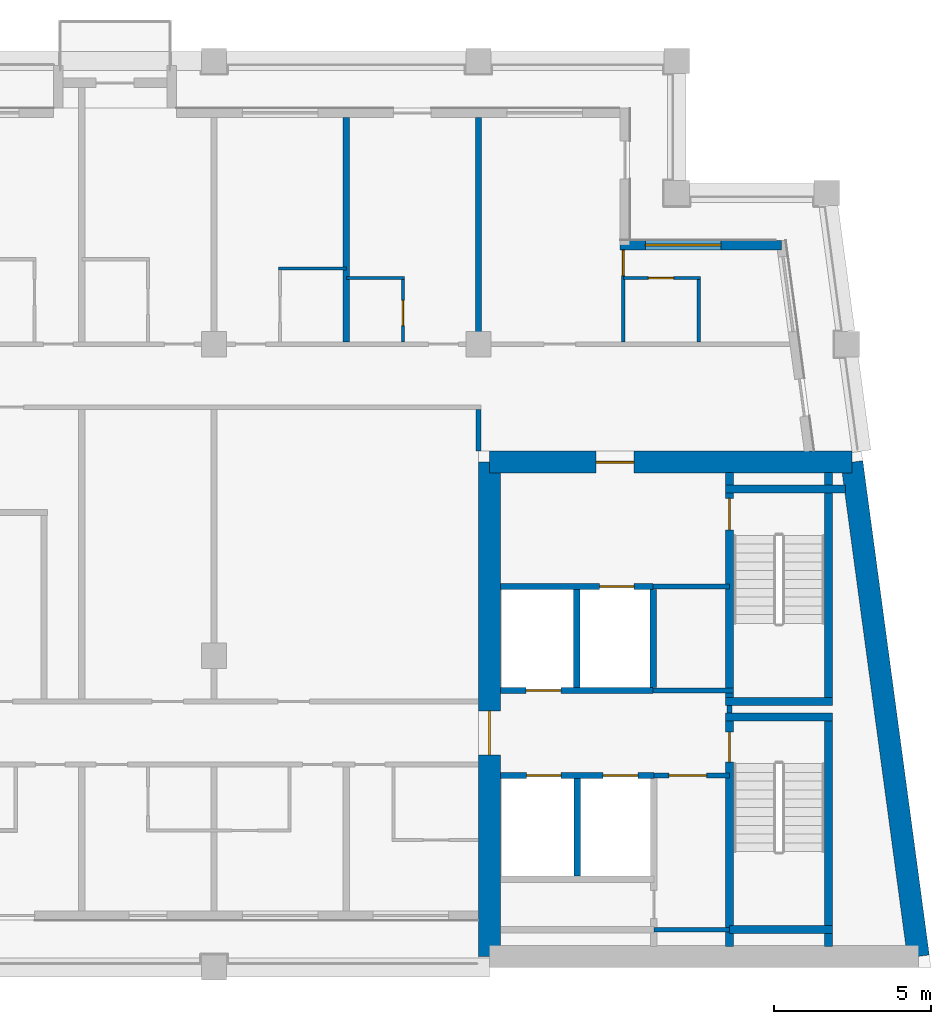
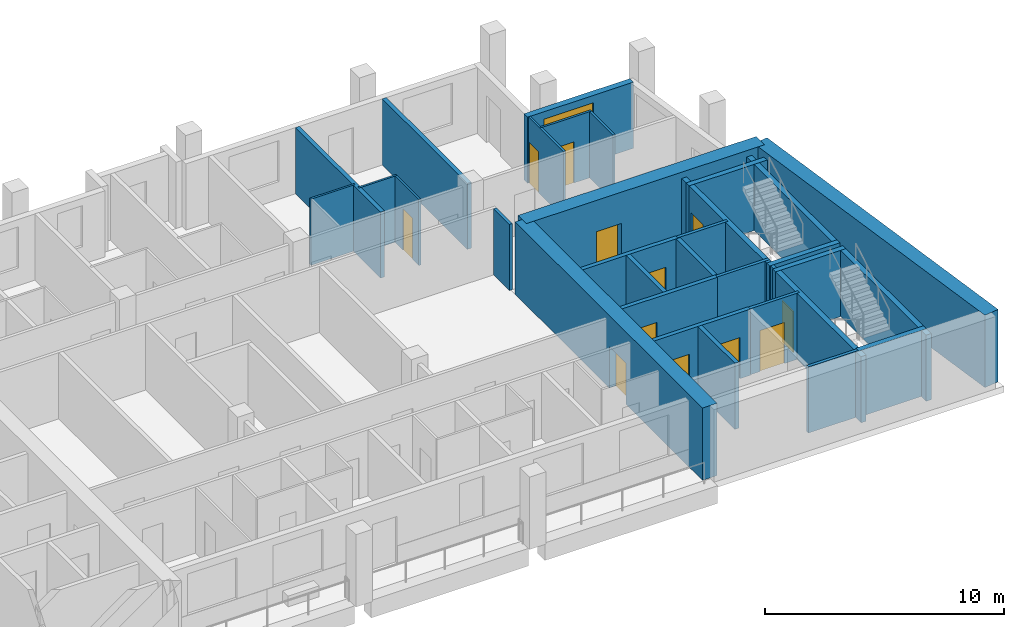
# One storey, part 5 of 10: 32 walls, 12 doors, 1 window, 13 openings.
"""IFC4 building model written with IfcOpenShell, lengths in metres."""

from ifc_helpers import new_model, si_unit, direction, frame, frame_2d, origin, place, context, subcontext, project, spatial, rectangle, extrude, material, layer, layer_set, type_object, element, fill, save


model = new_model("IFC4")

# Units and contexts
model_context = context("Model", 3, precision=1e-05, world=origin(), true_north=direction((0.0, 1.0)))
body_context = subcontext(model_context, "Body", "Model", "MODEL_VIEW")
ifc_project = project(units=[si_unit("LENGTHUNIT", "METRE"), si_unit("AREAUNIT", "SQUARE_METRE"), si_unit("VOLUMEUNIT", "CUBIC_METRE"), si_unit("PLANEANGLEUNIT", "RADIAN"), si_unit("MASSUNIT", "GRAM", prefix="KILO")], contexts=[model_context])

# Site, building, storey
site_placement = place(None, origin())
site = spatial("IfcSite", under=ifc_project, at=site_placement, CompositionType="ELEMENT")
building_placement = place(site_placement, origin())
building = spatial("IfcBuilding", under=site, at=building_placement, Name="Candeia Pilgrim Tower and Theatre", CompositionType="ELEMENT")
storey_placement = place(building_placement, frame((0.0, 0.0, 292.300048828125)))
storey = spatial("IfcBuildingStorey", under=building, at=storey_placement, Name="L71", CompositionType="ELEMENT", Elevation=292.300048828125)

# Wall, opening, door
ifc_material_1 = material(Name="Concrete C40/50", Category="concrete")
ifc_layer_1 = layer(ifc_material_1, 0.699951171875)
ifc_layer_set_1 = layer_set([ifc_layer_1], Name="Core wall 700 C40/50")
wall_type_1 = type_object("IfcWallType", Name="Core wall 700 C40/50", PredefinedType="SHEAR", material=ifc_layer_set_1)
wall_1_placement = place(storey_placement, frame((126.35009765625, 132.050048828125, 0.0), z_axis=(0.0, 0.0, 1.0), x_axis=(1.0, 0.0, 0.0)))
wall_1 = element("IfcWall", 1, at=wall_1_placement, inside=storey, type_object=wall_type_1, Name="Core wall E1", PredefinedType="SHEAR", context=body_context, shape_type="SweptSolid", body=[
    extrude(rectangle(XDim=11.51318359375, YDim=0.699951171875, at=frame_2d((5.756591796875, 0.0))), origin(), (0.0, 0.0, 1.0), 3.699951171875),
])
opening_1_placement = place(wall_1_placement, frame((3.386474609375, 0.0, 0.0)))
opening_1 = element("IfcOpeningElement", 2, at=opening_1_placement, cuts=wall_1, Name="Opening L71-D046", PredefinedType="OPENING", context=body_context, shape_type="SweptSolid", body=[
    extrude(rectangle(XDim=1.199951171875, YDim=2.10009765625, at=frame_2d((0.60009765625, 1.050048828125))), frame((0.0, 0.35986328125, 0.0), z_axis=(0.0, -1.0, 0.0), x_axis=(1.0, 0.0, 0.0)), (0.0, 0.0, 1.0), 0.719970703125),
])
ifc_material_2 = material(Name="Steel fire door set", Category="steel")
door_type_1 = type_object("IfcDoorType", Name="D-1200-FD60", OperationType="NOTDEFINED", PredefinedType="DOOR", material=ifc_material_2)
door_1_placement = place(opening_1_placement, origin())
door_1 = element("IfcDoor", 3, at=door_1_placement, inside=storey, type_object=door_type_1, Name="Door L71-D046", OperationType="SINGLE_SWING_LEFT", OverallHeight=2.10009765625, OverallWidth=1.199951171875, PredefinedType="DOOR", context=body_context, shape_type="SweptSolid", body=[
    extrude(rectangle(XDim=1.199951171875, YDim=2.10009765625, at=frame_2d((0.60009765625, 1.050048828125))), frame((0.0, 0.02490234375, 0.0), z_axis=(0.0, -1.0, 0.0), x_axis=(1.0, 0.0, 0.0)), (0.0, 0.0, 1.0), 0.050048828125),
])
fill(opening_1, door_1)

# Wall
wall_2_placement = place(storey_placement, frame((137.86328125, 132.050048828125, 0.0), z_axis=(0.0, 0.0, 1.0), x_axis=(0.133401241494, -0.991062111458, 0.0)))
element("IfcWall", 4, at=wall_2_placement, inside=storey, type_object=wall_type_1, Name="Core wall E2", PredefinedType="SHEAR", context=body_context, shape_type="SweptSolid", body=[
    extrude(rectangle(XDim=15.841552734375, YDim=0.699951171875, at=frame_2d((7.9208984375, 0.0))), origin(), (0.0, 0.0, 1.0), 3.699951171875),
])

# Wall, opening, door
wall_3_placement = place(storey_placement, frame((126.35009765625, 116.35009765625, 0.0), z_axis=(0.0, 0.0, 1.0), x_axis=(0.0, 1.0, 0.0)))
wall_3 = element("IfcWall", 5, at=wall_3_placement, inside=storey, type_object=wall_type_1, Name="Core wall E4", PredefinedType="SHEAR", context=body_context, shape_type="SweptSolid", body=[
    extrude(rectangle(XDim=15.699951171875, YDim=0.699951171875, at=frame_2d((7.85009765625, 0.0))), origin(), (0.0, 0.0, 1.0), 3.699951171875),
])
opening_2_placement = place(wall_3_placement, frame((6.39990234375, 0.0, 0.0)))
opening_2 = element("IfcOpeningElement", 6, at=opening_2_placement, cuts=wall_3, Name="Opening L71-D047", PredefinedType="OPENING", context=body_context, shape_type="SweptSolid", body=[
    extrude(rectangle(XDim=1.39990234375, YDim=2.10009765625, at=frame_2d((0.699951171875, 1.050048828125))), frame((0.0, 0.35986328125, 0.0), z_axis=(0.0, -1.0, 0.0), x_axis=(1.0, 0.0, 0.0)), (0.0, 0.0, 1.0), 0.719970703125),
])
door_type_2 = type_object("IfcDoorType", Name="D-1400-FD60", OperationType="NOTDEFINED", PredefinedType="DOOR", material=ifc_material_2)
door_2_placement = place(opening_2_placement, origin())
door_2 = element("IfcDoor", 7, at=door_2_placement, inside=storey, type_object=door_type_2, Name="Door L71-D047", OperationType="SINGLE_SWING_RIGHT", OverallHeight=2.10009765625, OverallWidth=1.39990234375, PredefinedType="DOOR", context=body_context, shape_type="SweptSolid", body=[
    extrude(rectangle(XDim=1.39990234375, YDim=2.10009765625, at=frame_2d((0.699951171875, 1.050048828125))), frame((0.0, 0.02490234375, 0.0), z_axis=(0.0, -1.0, 0.0), x_axis=(1.0, 0.0, 0.0)), (0.0, 0.0, 1.0), 0.050048828125),
])
fill(opening_2, door_2)

# Wall, opening, window
ifc_material_3 = material(Name="Ceramic block masonry", Category="masonry")
ifc_layer_2 = layer(ifc_material_3, 0.300048828125)
ifc_layer_set_2 = layer_set([ifc_layer_2], Name="EW1 glazing-line wall 300")
wall_type_2 = type_object("IfcWallType", Name="EW1 glazing-line wall 300", PredefinedType="SOLIDWALL", material=ifc_layer_set_2)
wall_4_placement = place(storey_placement, frame((135.62255859375, 138.949951171875, 0.0), z_axis=(0.0, 0.0, 1.0), x_axis=(-1.0, 0.0, 0.0)))
wall_4 = element("IfcWall", 8, at=wall_4_placement, inside=storey, type_object=wall_type_2, Name="External wall L71-3.0", PredefinedType="SOLIDWALL", context=body_context, shape_type="SweptSolid", body=[
    extrude(rectangle(XDim=5.12255859375, YDim=0.300048828125, at=frame_2d((2.561279296875, 0.0))), origin(), (0.0, 0.0, 1.0), 3.3798828125),
])
opening_3_placement = place(wall_4_placement, frame((1.922607421875, 0.0, 0.89990234375)))
opening_3 = element("IfcOpeningElement", 9, at=opening_3_placement, cuts=wall_4, Name="Opening W-A", PredefinedType="OPENING", context=body_context, shape_type="SweptSolid", body=[
    extrude(rectangle(XDim=2.39990234375, YDim=2.10009765625, at=frame_2d((1.199951171875, 1.050048828125))), frame((0.0, 0.16015625, 0.0), z_axis=(0.0, -1.0, 0.0), x_axis=(1.0, 0.0, 0.0)), (0.0, 0.0, 1.0), 0.320068359375),
])
ifc_material_4 = material(Name="Aluminium framed double glazing", Category="aluminium")
window_type = type_object("IfcWindowType", Name="W-A window 2400x2100", PartitioningType="DOUBLE_PANEL_VERTICAL", PredefinedType="WINDOW", material=ifc_material_4)
window_placement = place(opening_3_placement, origin())
window = element("IfcWindow", 10, at=window_placement, inside=storey, type_object=window_type, Name="Window W-A L71", OverallHeight=2.10009765625, OverallWidth=2.39990234375, PartitioningType="SINGLE_PANEL", PredefinedType="WINDOW", context=body_context, shape_type="SweptSolid", body=[
    extrude(rectangle(XDim=2.39990234375, YDim=2.10009765625, at=frame_2d((1.199951171875, 1.050048828125))), frame((0.0, 0.030029296875, 0.0), z_axis=(0.0, -1.0, 0.0), x_axis=(1.0, 0.0, 0.0)), (0.0, 0.0, 1.0), 0.06005859375),
])
fill(opening_3, window)

# Wall
ifc_material_5 = material(Name="Gypsum board partition on steel studs", Category="steel")
ifc_layer_3 = layer(ifc_material_5, 0.10009765625)
ifc_layer_set_3 = layer_set([ifc_layer_3], Name="PW-100 room partition")
wall_type_3 = type_object("IfcWallType", Name="PW-100 room partition", PredefinedType="PARTITIONING", material=ifc_layer_set_3)
wall_5_placement = place(storey_placement, frame((121.800048828125, 137.89990234375, 0.0), z_axis=(0.0, 0.0, 1.0), x_axis=(1.0, 0.0, 0.0)))
element("IfcWall", 11, at=wall_5_placement, inside=storey, type_object=wall_type_3, Name="Room partition L71-033", PredefinedType="PARTITIONING", context=body_context, shape_type="SweptSolid", body=[
    extrude(rectangle(XDim=1.849853515625, YDim=0.10009765625, at=frame_2d((0.9248046875, 0.0))), origin(), (0.0, 0.0, 1.0), 3.3798828125),
])

# Wall, opening, door
wall_6_placement = place(storey_placement, frame((130.60009765625, 137.89990234375, 0.0), z_axis=(0.0, 0.0, 1.0), x_axis=(1.0, 0.0, 0.0)))
wall_6 = element("IfcWall", 12, at=wall_6_placement, inside=storey, type_object=wall_type_3, Name="Room partition L71-034", PredefinedType="PARTITIONING", context=body_context, shape_type="SweptSolid", body=[
    extrude(rectangle(XDim=2.449951171875, YDim=0.10009765625, at=frame_2d((1.22509765625, 0.0))), origin(), (0.0, 0.0, 1.0), 3.3798828125),
])
opening_4_placement = place(wall_6_placement, frame((0.800048828125, 0.0, 0.0)))
opening_4 = element("IfcOpeningElement", 13, at=opening_4_placement, cuts=wall_6, Name="Opening L71-D037", PredefinedType="OPENING", context=body_context, shape_type="SweptSolid", body=[
    extrude(rectangle(XDim=0.800048828125, YDim=2.10009765625, at=frame_2d((0.39990234375, 1.050048828125))), frame((0.0, 0.06005859375, 0.0), z_axis=(0.0, -1.0, 0.0), x_axis=(1.0, 0.0, 0.0)), (0.0, 0.0, 1.0), 0.1201171875),
])
ifc_material_6 = material(Name="Timber door leaf", Category="wood")
door_type_3 = type_object("IfcDoorType", Name="D-800", OperationType="NOTDEFINED", PredefinedType="DOOR", material=ifc_material_6)
door_3_placement = place(opening_4_placement, origin())
door_3 = element("IfcDoor", 14, at=door_3_placement, inside=storey, type_object=door_type_3, Name="Door L71-D037", OperationType="SINGLE_SWING_RIGHT", OverallHeight=2.10009765625, OverallWidth=0.800048828125, PredefinedType="DOOR", context=body_context, shape_type="SweptSolid", body=[
    extrude(rectangle(XDim=0.800048828125, YDim=2.10009765625, at=frame_2d((0.39990234375, 1.050048828125))), frame((0.0, 0.02490234375, 0.0), z_axis=(0.0, -1.0, 0.0), x_axis=(1.0, 0.0, 0.0)), (0.0, 0.0, 1.0), 0.050048828125),
])
fill(opening_4, door_3)

# Wall
wall_7_placement = place(storey_placement, frame((119.64990234375, 138.199951171875, 0.0), z_axis=(0.0, 0.0, 1.0), x_axis=(1.0, 0.0, 0.0)))
element("IfcWall", 15, at=wall_7_placement, inside=storey, type_object=wall_type_3, Name="Room partition L71-037", PredefinedType="PARTITIONING", context=body_context, shape_type="SweptSolid", body=[
    extrude(rectangle(XDim=2.150146484375, YDim=0.10009765625, at=frame_2d((1.0751953125, 0.0))), origin(), (0.0, 0.0, 1.0), 3.3798828125),
])

# Wall, opening, door
wall_8_placement = place(storey_placement, frame((123.60009765625, 135.875, 0.0), z_axis=(0.0, 0.0, 1.0), x_axis=(0.0, 1.0, 0.0)))
wall_8 = element("IfcWall", 16, at=wall_8_placement, inside=storey, type_object=wall_type_3, Name="Room partition L71-078", PredefinedType="PARTITIONING", context=body_context, shape_type="SweptSolid", body=[
    extrude(rectangle(XDim=1.97509765625, YDim=0.10009765625, at=frame_2d((0.987548828125, 0.0))), origin(), (0.0, 0.0, 1.0), 3.3798828125),
])
opening_5_placement = place(wall_8_placement, frame((0.514892578125, 0.0, 0.0)))
opening_5 = element("IfcOpeningElement", 17, at=opening_5_placement, cuts=wall_8, Name="Opening L71-D034", PredefinedType="OPENING", context=body_context, shape_type="SweptSolid", body=[
    extrude(rectangle(XDim=0.800048828125, YDim=2.10009765625, at=frame_2d((0.39990234375, 1.050048828125))), frame((0.0, 0.06005859375, 0.0), z_axis=(0.0, -1.0, 0.0), x_axis=(1.0, 0.0, 0.0)), (0.0, 0.0, 1.0), 0.1201171875),
])
door_4_placement = place(opening_5_placement, origin())
door_4 = element("IfcDoor", 18, at=door_4_placement, inside=storey, type_object=door_type_3, Name="Door L71-D034", OperationType="SINGLE_SWING_LEFT", OverallHeight=2.10009765625, OverallWidth=0.800048828125, PredefinedType="DOOR", context=body_context, shape_type="SweptSolid", body=[
    extrude(rectangle(XDim=0.800048828125, YDim=2.10009765625, at=frame_2d((0.39990234375, 1.050048828125))), frame((0.0, 0.02490234375, 0.0), z_axis=(0.0, -1.0, 0.0), x_axis=(1.0, 0.0, 0.0)), (0.0, 0.0, 1.0), 0.050048828125),
])
fill(opening_5, door_4)

wall_9_placement = place(storey_placement, frame((130.60009765625, 135.875, 0.0), z_axis=(0.0, 0.0, 1.0), x_axis=(0.0, 1.0, 0.0)))
wall_9 = element("IfcWall", 19, at=wall_9_placement, inside=storey, type_object=wall_type_3, Name="Room partition L71-083", PredefinedType="PARTITIONING", context=body_context, shape_type="SweptSolid", body=[
    extrude(rectangle(XDim=2.93505859375, YDim=0.10009765625, at=frame_2d((1.467529296875, 0.0))), origin(), (0.0, 0.0, 1.0), 3.3798828125),
])
opening_6_placement = place(wall_9_placement, frame((2.10498046875, 0.0, 0.0)))
opening_6 = element("IfcOpeningElement", 20, at=opening_6_placement, cuts=wall_9, Name="Opening L71-D036", PredefinedType="OPENING", context=body_context, shape_type="SweptSolid", body=[
    extrude(rectangle(XDim=0.800048828125, YDim=2.10009765625, at=frame_2d((0.39990234375, 1.050048828125))), frame((0.0, 0.06005859375, 0.0), z_axis=(0.0, -1.0, 0.0), x_axis=(1.0, 0.0, 0.0)), (0.0, 0.0, 1.0), 0.1201171875),
])
door_5_placement = place(opening_6_placement, origin())
door_5 = element("IfcDoor", 21, at=door_5_placement, inside=storey, type_object=door_type_3, Name="Door L71-D036", OperationType="SINGLE_SWING_LEFT", OverallHeight=2.10009765625, OverallWidth=0.800048828125, PredefinedType="DOOR", context=body_context, shape_type="SweptSolid", body=[
    extrude(rectangle(XDim=0.800048828125, YDim=2.10009765625, at=frame_2d((0.39990234375, 1.050048828125))), frame((0.0, 0.02490234375, 0.0), z_axis=(0.0, -1.0, 0.0), x_axis=(1.0, 0.0, 0.0)), (0.0, 0.0, 1.0), 0.050048828125),
])
fill(opening_6, door_5)

# Walls
wall_10_placement = place(storey_placement, frame((133.0, 135.875, 0.0), z_axis=(0.0, 0.0, 1.0), x_axis=(0.0, 1.0, 0.0)))
element("IfcWall", 22, at=wall_10_placement, inside=storey, type_object=wall_type_3, Name="Room partition L71-086", PredefinedType="PARTITIONING", context=body_context, shape_type="SweptSolid", body=[
    extrude(rectangle(XDim=1.97509765625, YDim=0.10009765625, at=frame_2d((0.987548828125, 0.0))), origin(), (0.0, 0.0, 1.0), 3.3798828125),
])
ifc_layer_4 = layer(ifc_material_5, 0.14990234375)
ifc_layer_set_4 = layer_set([ifc_layer_4], Name="PW-150 lobby wall")
wall_type_4 = type_object("IfcWallType", Name="PW-150 lobby wall", PredefinedType="PARTITIONING", material=ifc_layer_set_4)
wall_11_placement = place(storey_placement, frame((131.572998046875, 117.199951171875, 0.0), z_axis=(0.0, 0.0, 1.0), x_axis=(1.0, 0.0, 0.0)))
element("IfcWall", 23, at=wall_11_placement, inside=storey, type_object=wall_type_4, Name="Lobby wall L71-004", PredefinedType="PARTITIONING", context=body_context, shape_type="SweptSolid", body=[
    extrude(rectangle(XDim=2.39990234375, YDim=0.14990234375, at=frame_2d((1.199951171875, 0.0))), origin(), (0.0, 0.0, 1.0), 3.3798828125),
])

# Wall, opening, door
wall_12_placement = place(storey_placement, frame((131.572998046875, 122.10009765625, 0.0), z_axis=(0.0, 0.0, 1.0), x_axis=(1.0, 0.0, 0.0)))
wall_12 = element("IfcWall", 24, at=wall_12_placement, inside=storey, type_object=wall_type_4, Name="Lobby wall L71-015", PredefinedType="PARTITIONING", context=body_context, shape_type="SweptSolid", body=[
    extrude(rectangle(XDim=2.39990234375, YDim=0.14990234375, at=frame_2d((1.199951171875, 0.0))), origin(), (0.0, 0.0, 1.0), 3.3798828125),
])
opening_7_placement = place(wall_12_placement, frame((0.47509765625, 0.0, 0.0)))
opening_7 = element("IfcOpeningElement", 25, at=opening_7_placement, cuts=wall_12, Name="Opening L71-D005", PredefinedType="OPENING", context=body_context, shape_type="SweptSolid", body=[
    extrude(rectangle(XDim=1.199951171875, YDim=2.10009765625, at=frame_2d((0.60009765625, 1.050048828125))), frame((0.0, 0.0849609375, 0.0), z_axis=(0.0, -1.0, 0.0), x_axis=(1.0, 0.0, 0.0)), (0.0, 0.0, 1.0), 0.169921875),
])
door_6_placement = place(opening_7_placement, origin())
door_6 = element("IfcDoor", 26, at=door_6_placement, inside=storey, type_object=door_type_1, Name="Door L71-D005", OperationType="SINGLE_SWING_RIGHT", OverallHeight=2.10009765625, OverallWidth=1.199951171875, PredefinedType="DOOR", context=body_context, shape_type="SweptSolid", body=[
    extrude(rectangle(XDim=1.199951171875, YDim=2.10009765625, at=frame_2d((0.60009765625, 1.050048828125))), frame((0.0, 0.02490234375, 0.0), z_axis=(0.0, -1.0, 0.0), x_axis=(1.0, 0.0, 0.0)), (0.0, 0.0, 1.0), 0.050048828125),
])
fill(opening_7, door_6)

# Walls
wall_13_placement = place(storey_placement, frame((131.548583984375, 124.800048828125, 0.0), z_axis=(0.0, 0.0, 1.0), x_axis=(1.0, 0.0, 0.0)))
element("IfcWall", 27, at=wall_13_placement, inside=storey, type_object=wall_type_4, Name="Lobby wall L71-024", PredefinedType="PARTITIONING", context=body_context, shape_type="SweptSolid", body=[
    extrude(rectangle(XDim=2.54931640625, YDim=0.14990234375, at=frame_2d((1.274658203125, 0.0))), origin(), (0.0, 0.0, 1.0), 3.3798828125),
])
wall_14_placement = place(storey_placement, frame((131.548583984375, 128.10009765625, 0.0), z_axis=(0.0, 0.0, 1.0), x_axis=(1.0, 0.0, 0.0)))
element("IfcWall", 28, at=wall_14_placement, inside=storey, type_object=wall_type_4, Name="Lobby wall L71-027", PredefinedType="PARTITIONING", context=body_context, shape_type="SweptSolid", body=[
    extrude(rectangle(XDim=2.42431640625, YDim=0.14990234375, at=frame_2d((1.212158203125, 0.0))), origin(), (0.0, 0.0, 1.0), 3.3798828125),
])
wall_15_placement = place(storey_placement, frame((133.972900390625, 124.074951171875, 0.0), z_axis=(0.0, 0.0, 1.0), x_axis=(0.0, 1.0, 0.0)))
element("IfcWall", 29, at=wall_15_placement, inside=storey, type_object=wall_type_4, Name="Lobby wall L71-087", PredefinedType="PARTITIONING", context=body_context, shape_type="SweptSolid", body=[
    extrude(rectangle(XDim=0.25, YDim=0.14990234375, at=frame_2d((0.125, 0.0))), origin(), (0.0, 0.0, 1.0), 3.3798828125),
])
ifc_layer_5 = layer(ifc_material_5, 0.14990234375)
ifc_layer_set_5 = layer_set([ifc_layer_5], Name="PW-150 unit wall")
wall_type_5 = type_object("IfcWallType", Name="PW-150 unit wall", PredefinedType="PARTITIONING", material=ifc_layer_set_5)
wall_16_placement = place(storey_placement, frame((126.0, 132.39990234375, 0.0), z_axis=(0.0, 0.0, 1.0), x_axis=(0.0, 1.0, 0.0)))
element("IfcWall", 30, at=wall_16_placement, inside=storey, type_object=wall_type_5, Name="Unit wall L71-080", PredefinedType="PARTITIONING", context=body_context, shape_type="SweptSolid", body=[
    extrude(rectangle(XDim=1.3251953125, YDim=0.14990234375, at=frame_2d((0.66259765625, 0.0))), origin(), (0.0, 0.0, 1.0), 3.3798828125),
])
ifc_layer_6 = layer(ifc_material_5, 0.199951171875)
ifc_layer_set_6 = layer_set([ifc_layer_6], Name="PW-200 party wall")
wall_type_6 = type_object("IfcWallType", Name="PW-200 party wall", PredefinedType="PARTITIONING", material=ifc_layer_set_6)
for number, where, z_axis, x_axis, name in (
    (31, (121.800048828125, 135.875, 0.0), (0.0, 0.0, 1.0), (0.0, 1.0, 0.0), "Party wall L71-076"),
    (32, (126.0, 135.875, 0.0), (0.0, 0.0, 1.0), (0.0, 1.0, 0.0), "Party wall L71-079"),
):
    element("IfcWall", number, at=place(storey_placement, frame(where, z_axis=z_axis, x_axis=x_axis)), inside=storey, type_object=wall_type_6, Name=name, PredefinedType="PARTITIONING", context=body_context, shape_type="SweptSolid", body=[
        extrude(rectangle(XDim=7.135009765625, YDim=0.199951171875, at=frame_2d((3.5673828125, 0.0))), origin(), (0.0, 0.0, 1.0), 3.3798828125),
    ])

# Wall, openings, doors
ifc_layer_7 = layer(ifc_material_1, 0.199951171875)
ifc_layer_set_7 = layer_set([ifc_layer_7], Name="SW-200 shaft wall")
wall_type_7 = type_object("IfcWallType", Name="SW-200 shaft wall", PredefinedType="PARTITIONING", material=ifc_layer_set_7)
wall_17_placement = place(storey_placement, frame((126.699951171875, 122.10009765625, 0.0), z_axis=(0.0, 0.0, 1.0), x_axis=(1.0, 0.0, 0.0)))
wall_17 = element("IfcWall", 33, at=wall_17_placement, inside=storey, type_object=wall_type_7, Name="Shaft wall L71-013", PredefinedType="PARTITIONING", context=body_context, shape_type="SweptSolid", body=[
    extrude(rectangle(XDim=4.873046875, YDim=0.199951171875, at=frame_2d((2.4365234375, 0.0))), origin(), (0.0, 0.0, 1.0), 3.3798828125),
])
opening_8_placement = place(wall_17_placement, frame((3.263916015625, 0.0, 0.0)))
opening_8 = element("IfcOpeningElement", 34, at=opening_8_placement, cuts=wall_17, Name="Opening L71-LD05", PredefinedType="OPENING", context=body_context, shape_type="SweptSolid", body=[
    extrude(rectangle(XDim=1.10009765625, YDim=2.10009765625, at=frame_2d((0.550048828125, 1.050048828125))), frame((0.0, 0.10986328125, 0.0), z_axis=(0.0, -1.0, 0.0), x_axis=(1.0, 0.0, 0.0)), (0.0, 0.0, 1.0), 0.219970703125),
])
opening_9_placement = place(wall_17_placement, frame((0.826904296875, 0.0, 0.0)))
opening_9 = element("IfcOpeningElement", 35, at=opening_9_placement, cuts=wall_17, Name="Opening L71-LD06", PredefinedType="OPENING", context=body_context, shape_type="SweptSolid", body=[
    extrude(rectangle(XDim=1.10009765625, YDim=2.10009765625, at=frame_2d((0.550048828125, 1.050048828125))), frame((0.0, 0.10986328125, 0.0), z_axis=(0.0, -1.0, 0.0), x_axis=(1.0, 0.0, 0.0)), (0.0, 0.0, 1.0), 0.219970703125),
])
ifc_material_7 = material(Name="Glazed aluminium landing door", Category="aluminium")
door_type_4 = type_object("IfcDoorType", Name="LD-1100-EI120", OperationType="SLIDING_TO_LEFT", PredefinedType="DOOR", material=ifc_material_7)
door_7_placement = place(opening_8_placement, origin())
door_7 = element("IfcDoor", 36, at=door_7_placement, inside=storey, type_object=door_type_4, Name="Landing door 05 L71", OperationType="SLIDING_TO_LEFT", OverallHeight=2.10009765625, OverallWidth=1.10009765625, PredefinedType="DOOR", context=body_context, shape_type="SweptSolid", body=[
    extrude(rectangle(XDim=1.10009765625, YDim=2.10009765625, at=frame_2d((0.550048828125, 1.050048828125))), frame((0.0, 0.02490234375, 0.0), z_axis=(0.0, -1.0, 0.0), x_axis=(1.0, 0.0, 0.0)), (0.0, 0.0, 1.0), 0.050048828125),
])
fill(opening_8, door_7)
door_8_placement = place(opening_9_placement, origin())
door_8 = element("IfcDoor", 37, at=door_8_placement, inside=storey, type_object=door_type_4, Name="Landing door 06 L71", OperationType="SLIDING_TO_LEFT", OverallHeight=2.10009765625, OverallWidth=1.10009765625, PredefinedType="DOOR", context=body_context, shape_type="SweptSolid", body=[
    extrude(rectangle(XDim=1.10009765625, YDim=2.10009765625, at=frame_2d((0.550048828125, 1.050048828125))), frame((0.0, 0.02490234375, 0.0), z_axis=(0.0, -1.0, 0.0), x_axis=(1.0, 0.0, 0.0)), (0.0, 0.0, 1.0), 0.050048828125),
])
fill(opening_9, door_8)

# Wall, opening, door
wall_18_placement = place(storey_placement, frame((126.699951171875, 124.800048828125, 0.0), z_axis=(0.0, 0.0, 1.0), x_axis=(1.0, 0.0, 0.0)))
wall_18 = element("IfcWall", 38, at=wall_18_placement, inside=storey, type_object=wall_type_7, Name="Shaft wall L71-023", PredefinedType="PARTITIONING", context=body_context, shape_type="SweptSolid", body=[
    extrude(rectangle(XDim=4.8486328125, YDim=0.199951171875, at=frame_2d((2.42431640625, 0.0))), origin(), (0.0, 0.0, 1.0), 3.3798828125),
])
opening_10_placement = place(wall_18_placement, frame((0.818115234375, 0.0, 0.0)))
opening_10 = element("IfcOpeningElement", 39, at=opening_10_placement, cuts=wall_18, Name="Opening L71-LD08", PredefinedType="OPENING", context=body_context, shape_type="SweptSolid", body=[
    extrude(rectangle(XDim=1.10009765625, YDim=2.10009765625, at=frame_2d((0.550048828125, 1.050048828125))), frame((0.0, 0.10986328125, 0.0), z_axis=(0.0, -1.0, 0.0), x_axis=(1.0, 0.0, 0.0)), (0.0, 0.0, 1.0), 0.219970703125),
])
door_9_placement = place(opening_10_placement, origin())
door_9 = element("IfcDoor", 40, at=door_9_placement, inside=storey, type_object=door_type_4, Name="Landing door 08 L71", OperationType="SLIDING_TO_LEFT", OverallHeight=2.10009765625, OverallWidth=1.10009765625, PredefinedType="DOOR", context=body_context, shape_type="SweptSolid", body=[
    extrude(rectangle(XDim=1.10009765625, YDim=2.10009765625, at=frame_2d((0.550048828125, 1.050048828125))), frame((0.0, 0.02490234375, 0.0), z_axis=(0.0, -1.0, 0.0), x_axis=(1.0, 0.0, 0.0)), (0.0, 0.0, 1.0), 0.050048828125),
])
fill(opening_10, door_9)

wall_19_placement = place(storey_placement, frame((126.699951171875, 128.10009765625, 0.0), z_axis=(0.0, 0.0, 1.0), x_axis=(1.0, 0.0, 0.0)))
wall_19 = element("IfcWall", 41, at=wall_19_placement, inside=storey, type_object=wall_type_7, Name="Shaft wall L71-026", PredefinedType="PARTITIONING", context=body_context, shape_type="SweptSolid", body=[
    extrude(rectangle(XDim=4.8486328125, YDim=0.199951171875, at=frame_2d((2.42431640625, 0.0))), origin(), (0.0, 0.0, 1.0), 3.3798828125),
])
opening_11_placement = place(wall_19_placement, frame((3.14892578125, 0.0, 0.0)))
opening_11 = element("IfcOpeningElement", 42, at=opening_11_placement, cuts=wall_19, Name="Opening L71-LD07", PredefinedType="OPENING", context=body_context, shape_type="SweptSolid", body=[
    extrude(rectangle(XDim=1.10009765625, YDim=2.10009765625, at=frame_2d((0.550048828125, 1.050048828125))), frame((0.0, 0.10986328125, 0.0), z_axis=(0.0, -1.0, 0.0), x_axis=(1.0, 0.0, 0.0)), (0.0, 0.0, 1.0), 0.219970703125),
])
door_10_placement = place(opening_11_placement, origin())
door_10 = element("IfcDoor", 43, at=door_10_placement, inside=storey, type_object=door_type_4, Name="Landing door 07 L71", OperationType="SLIDING_TO_LEFT", OverallHeight=2.10009765625, OverallWidth=1.10009765625, PredefinedType="DOOR", context=body_context, shape_type="SweptSolid", body=[
    extrude(rectangle(XDim=1.10009765625, YDim=2.10009765625, at=frame_2d((0.550048828125, 1.050048828125))), frame((0.0, 0.02490234375, 0.0), z_axis=(0.0, -1.0, 0.0), x_axis=(1.0, 0.0, 0.0)), (0.0, 0.0, 1.0), 0.050048828125),
])
fill(opening_11, door_10)

# Walls
for number, where, z_axis, x_axis, name in (
    (44, (129.124267578125, 124.89990234375, 0.0), (0.0, 0.0, 1.0), (0.0, 1.0, 0.0), "Shaft wall L71-081"),
    (45, (129.136474609375, 118.89990234375, 0.0), (0.0, 0.0, 1.0), (0.0, 1.0, 0.0), "Shaft wall L71-082"),
    (46, (131.548583984375, 124.89990234375, 0.0), (0.0, 0.0, 1.0), (0.0, 1.0, 0.0), "Shaft wall L71-084"),
):
    element("IfcWall", number, at=place(storey_placement, frame(where, z_axis=z_axis, x_axis=x_axis)), inside=storey, type_object=wall_type_7, Name=name, PredefinedType="PARTITIONING", context=body_context, shape_type="SweptSolid", body=[
        extrude(rectangle(XDim=3.10009765625, YDim=0.199951171875, at=frame_2d((1.550048828125, 0.0))), origin(), (0.0, 0.0, 1.0), 3.3798828125),
    ])
ifc_layer_8 = layer(ifc_material_1, 0.25)
ifc_layer_set_8 = layer_set([ifc_layer_8], Name="SW-250 stair wall")
wall_type_8 = type_object("IfcWallType", Name="SW-250 stair wall", PredefinedType="PARTITIONING", material=ifc_layer_set_8)
wall_20_placement = place(storey_placement, frame((133.972900390625, 117.199951171875, 0.0), z_axis=(0.0, 0.0, 1.0), x_axis=(1.0, 0.0, 0.0)))
element("IfcWall", 47, at=wall_20_placement, inside=storey, type_object=wall_type_8, Name="Stair wall L71-006", PredefinedType="PARTITIONING", context=body_context, shape_type="SweptSolid", body=[
    extrude(rectangle(XDim=3.275146484375, YDim=0.25, at=frame_2d((1.6376953125, 0.0))), origin(), (0.0, 0.0, 1.0), 3.3798828125),
])
for number, where, z_axis, x_axis, name in (
    (48, (133.847900390625, 123.949951171875, 0.0), (0.0, 0.0, 1.0), (1.0, 0.0, 0.0), "Stair wall L71-018"),
    (49, (133.847900390625, 124.449951171875, 0.0), (0.0, 0.0, 1.0), (1.0, 0.0, 0.0), "Stair wall L71-020"),
):
    element("IfcWall", number, at=place(storey_placement, frame(where, z_axis=z_axis, x_axis=x_axis)), inside=storey, type_object=wall_type_8, Name=name, PredefinedType="PARTITIONING", context=body_context, shape_type="SweptSolid", body=[
        extrude(rectangle(XDim=3.400146484375, YDim=0.25, at=frame_2d((1.7001953125, 0.0))), origin(), (0.0, 0.0, 1.0), 3.3798828125),
    ])
wall_21_placement = place(storey_placement, frame((133.847900390625, 131.199951171875, 0.0), z_axis=(0.0, 0.0, 1.0), x_axis=(1.0, 0.0, 0.0)))
element("IfcWall", 50, at=wall_21_placement, inside=storey, type_object=wall_type_8, Name="Stair wall L71-030", PredefinedType="PARTITIONING", context=body_context, shape_type="SweptSolid", body=[
    extrude(rectangle(XDim=3.806640625, YDim=0.25, at=frame_2d((1.9033203125, 0.0))), origin(), (0.0, 0.0, 1.0), 3.3798828125),
])

# Wall, opening, door
wall_22_placement = place(storey_placement, frame((133.972900390625, 116.669921875, 0.0), z_axis=(0.0, 0.0, 1.0), x_axis=(0.0, 1.0, 0.0)))
wall_22 = element("IfcWall", 51, at=wall_22_placement, inside=storey, type_object=wall_type_8, Name="Stair wall L71-088", PredefinedType="PARTITIONING", context=body_context, shape_type="SweptSolid", body=[
    extrude(rectangle(XDim=7.155029296875, YDim=0.25, at=frame_2d((3.57763671875, 0.0))), origin(), (0.0, 0.0, 1.0), 3.3798828125),
])
opening_12_placement = place(wall_22_placement, frame((5.85498046875, 0.0, 0.0)))
opening_12 = element("IfcOpeningElement", 52, at=opening_12_placement, cuts=wall_22, Name="Opening L71-D006", PredefinedType="OPENING", context=body_context, shape_type="SweptSolid", body=[
    extrude(rectangle(XDim=0.949951171875, YDim=2.10009765625, at=frame_2d((0.47509765625, 1.050048828125))), frame((0.0, 0.135009765625, 0.0), z_axis=(0.0, -1.0, 0.0), x_axis=(1.0, 0.0, 0.0)), (0.0, 0.0, 1.0), 0.27001953125),
])
door_type_5 = type_object("IfcDoorType", Name="D-950-FD60", OperationType="NOTDEFINED", PredefinedType="DOOR", material=ifc_material_2)
door_11_placement = place(opening_12_placement, origin())
door_11 = element("IfcDoor", 53, at=door_11_placement, inside=storey, type_object=door_type_5, Name="Door L71-D006", OperationType="SINGLE_SWING_LEFT", OverallHeight=2.10009765625, OverallWidth=0.949951171875, PredefinedType="DOOR", context=body_context, shape_type="SweptSolid", body=[
    extrude(rectangle(XDim=0.949951171875, YDim=2.10009765625, at=frame_2d((0.47509765625, 1.050048828125))), frame((0.0, 0.02490234375, 0.0), z_axis=(0.0, -1.0, 0.0), x_axis=(1.0, 0.0, 0.0)), (0.0, 0.0, 1.0), 0.050048828125),
])
fill(opening_12, door_11)

wall_23_placement = place(storey_placement, frame((133.972900390625, 124.574951171875, 0.0), z_axis=(0.0, 0.0, 1.0), x_axis=(0.0, 1.0, 0.0)))
wall_23 = element("IfcWall", 54, at=wall_23_placement, inside=storey, type_object=wall_type_8, Name="Stair wall L71-089", PredefinedType="PARTITIONING", context=body_context, shape_type="SweptSolid", body=[
    extrude(rectangle(XDim=7.155029296875, YDim=0.25, at=frame_2d((3.57763671875, 0.0))), origin(), (0.0, 0.0, 1.0), 3.3798828125),
])
opening_13_placement = place(wall_23_placement, frame((5.324951171875, 0.0, 0.0)))
opening_13 = element("IfcOpeningElement", 55, at=opening_13_placement, cuts=wall_23, Name="Opening L71-D007", PredefinedType="OPENING", context=body_context, shape_type="SweptSolid", body=[
    extrude(rectangle(XDim=1.0, YDim=2.10009765625, at=frame_2d((0.5, 1.050048828125))), frame((0.0, 0.135009765625, 0.0), z_axis=(0.0, -1.0, 0.0), x_axis=(1.0, 0.0, 0.0)), (0.0, 0.0, 1.0), 0.27001953125),
])
door_type_6 = type_object("IfcDoorType", Name="D-1000-FD60", OperationType="NOTDEFINED", PredefinedType="DOOR", material=ifc_material_2)
door_12_placement = place(opening_13_placement, origin())
door_12 = element("IfcDoor", 56, at=door_12_placement, inside=storey, type_object=door_type_6, Name="Door L71-D007", OperationType="SINGLE_SWING_RIGHT", OverallHeight=2.10009765625, OverallWidth=1.0, PredefinedType="DOOR", context=body_context, shape_type="SweptSolid", body=[
    extrude(rectangle(XDim=1.0, YDim=2.10009765625, at=frame_2d((0.5, 1.050048828125))), frame((0.0, 0.02490234375, 0.0), z_axis=(0.0, -1.0, 0.0), x_axis=(1.0, 0.0, 0.0)), (0.0, 0.0, 1.0), 0.050048828125),
])
fill(opening_13, door_12)

# Walls
for number, where, z_axis, x_axis, name in (
    (57, (137.123046875, 116.669921875, 0.0), (0.0, 0.0, 1.0), (0.0, 1.0, 0.0), "Stair wall L71-090"),
    (58, (137.123046875, 124.574951171875, 0.0), (0.0, 0.0, 1.0), (0.0, 1.0, 0.0), "Stair wall L71-091"),
):
    element("IfcWall", number, at=place(storey_placement, frame(where, z_axis=z_axis, x_axis=x_axis)), inside=storey, type_object=wall_type_8, Name=name, PredefinedType="PARTITIONING", context=body_context, shape_type="SweptSolid", body=[
        extrude(rectangle(XDim=7.155029296875, YDim=0.25, at=frame_2d((3.57763671875, 0.0))), origin(), (0.0, 0.0, 1.0), 3.3798828125),
    ])

save(model, "model.ifc")
